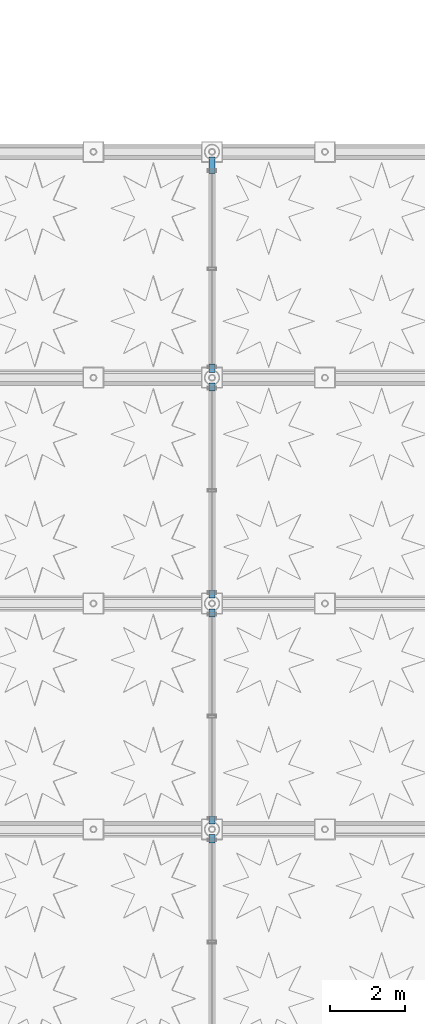
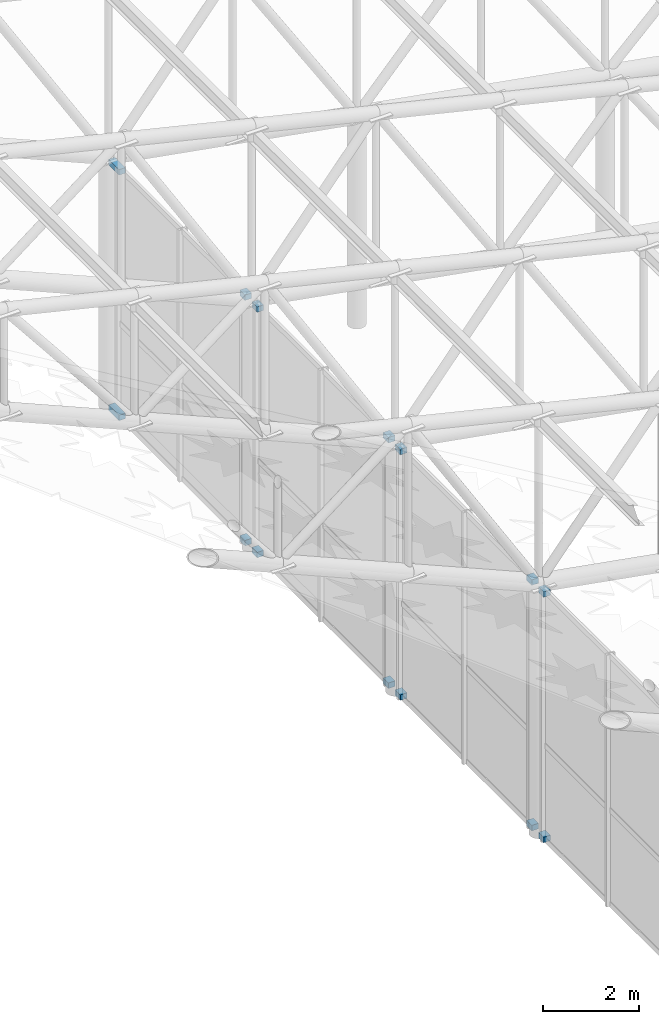
# One storey, part 105 of 112: 14 discrete accessories.
"""IFC4 building model written with IfcOpenShell, lengths in metres."""

from ifc_helpers import new_model, si_unit, direction, frame, origin, origin_2d, place, context, subcontext, project, spatial, rectangle, extrude, material, type_object, element, save


model = new_model("IFC4")

# Units and contexts
model_context = context("Model", 3, precision=1e-05, world=origin(), true_north=direction((0.0, 1.0)))
body_context = subcontext(model_context, "Body", "Model", "MODEL_VIEW")
ifc_project = project(units=[si_unit("LENGTHUNIT", "METRE"), si_unit("AREAUNIT", "SQUARE_METRE"), si_unit("VOLUMEUNIT", "CUBIC_METRE"), si_unit("PLANEANGLEUNIT", "RADIAN"), si_unit("MASSUNIT", "GRAM", prefix="KILO"), si_unit("THERMODYNAMICTEMPERATUREUNIT", "KELVIN"), si_unit("POWERUNIT", "WATT")], contexts=[model_context])

# Site, building, storey
site_placement = place(None, origin())
site = spatial("IfcSite", under=ifc_project, at=site_placement, CompositionType="ELEMENT")
building_placement = place(site_placement, origin())
building = spatial("IfcBuilding", under=site, at=building_placement, Name="Phaisarnlok Congress Hotel", CompositionType="ELEMENT")
storey_placement = place(building_placement, frame((0.0, 0.0, 19.800048828125)))
storey = spatial("IfcBuildingStorey", under=building, at=storey_placement, Name="L04", CompositionType="ELEMENT", Elevation=19.800048828125)

# Discrete accessories
ifc_material = material(Name="Steel S355", Category="steel")
discrete_accessory_type = type_object("IfcDiscreteAccessoryType", Name="ACC-BRK-STL", PredefinedType="BRACKET", material=ifc_material)
for number, where, z_axis, x_axis, name in (
    (1, (120.0, 65.75, 0.0), (0.0, 0.0, 1.0), (1.0, 0.0, 0.0), "Curtain wall steel jamb spider bracket BK-01"),
    (2, (120.0, 65.75, 6.27001953125), (0.0, 0.0, 1.0), (1.0, 0.0, 0.0), "Curtain wall steel jamb spider bracket BK-01"),
    (3, (120.0, 66.25, 0.0), (0.0, 0.0, 1.0), (1.0, 0.0, 0.0), "Curtain wall steel jamb spider bracket BK-01"),
    (4, (120.0, 66.25, 6.27001953125), (0.0, 0.0, 1.0), (1.0, 0.0, 0.0), "Curtain wall steel jamb spider bracket BK-01"),
    (5, (120.0, 71.75, 0.0), (0.0, 0.0, 1.0), (1.0, 0.0, 0.0), "Curtain wall steel jamb spider bracket BK-01"),
    (6, (120.0, 71.75, 6.27001953125), (0.0, 0.0, 1.0), (1.0, 0.0, 0.0), "Curtain wall steel jamb spider bracket BK-01"),
    (7, (120.0, 72.25, 0.0), (0.0, 0.0, 1.0), (1.0, 0.0, 0.0), "Curtain wall steel jamb spider bracket BK-01"),
    (8, (120.0, 72.25, 6.27001953125), (0.0, 0.0, 1.0), (1.0, 0.0, 0.0), "Curtain wall steel jamb spider bracket BK-01"),
    (9, (120.0, 77.75, 0.0), (0.0, 0.0, 1.0), (1.0, 0.0, 0.0), "Curtain wall steel jamb spider bracket BK-01"),
    (10, (120.0, 77.75, 6.27001953125), (0.0, 0.0, 1.0), (1.0, 0.0, 0.0), "Curtain wall steel jamb spider bracket BK-01"),
    (11, (120.0, 78.25, 0.0), (0.0, 0.0, 1.0), (1.0, 0.0, 0.0), "Curtain wall steel jamb spider bracket BK-01"),
    (12, (120.0, 78.25, 6.27001953125), (0.0, 0.0, 1.0), (1.0, 0.0, 0.0), "Curtain wall steel jamb spider bracket BK-01"),
):
    element("IfcDiscreteAccessory", number, at=place(storey_placement, frame(where, z_axis=z_axis, x_axis=x_axis)), inside=storey, type_object=discrete_accessory_type, Name=name, PredefinedType="BRACKET", context=body_context, shape_type="SweptSolid", body=[
        extrude(rectangle(XDim=0.159912109375, YDim=0.219970703125, at=origin_2d()), origin(), (0.0, 0.0, 1.0), 0.139892578125),
    ])
for number, where, z_axis, x_axis, name in (
    (13, (120.0, 83.639892578125, 0.0), (0.0, 0.0, 1.0), (1.0, 0.0, 0.0), "Curtain wall steel jamb spider bracket BK-01"),
    (14, (120.0, 83.639892578125, 6.27001953125), (0.0, 0.0, 1.0), (1.0, 0.0, 0.0), "Curtain wall steel jamb spider bracket BK-01"),
):
    element("IfcDiscreteAccessory", number, at=place(storey_placement, frame(where, z_axis=z_axis, x_axis=x_axis)), inside=storey, type_object=discrete_accessory_type, Name=name, PredefinedType="BRACKET", context=body_context, shape_type="SweptSolid", body=[
        extrude(rectangle(XDim=0.159912109375, YDim=0.43994140625, at=origin_2d()), origin(), (0.0, 0.0, 1.0), 0.139892578125),
    ])

save(model, "model.ifc")
